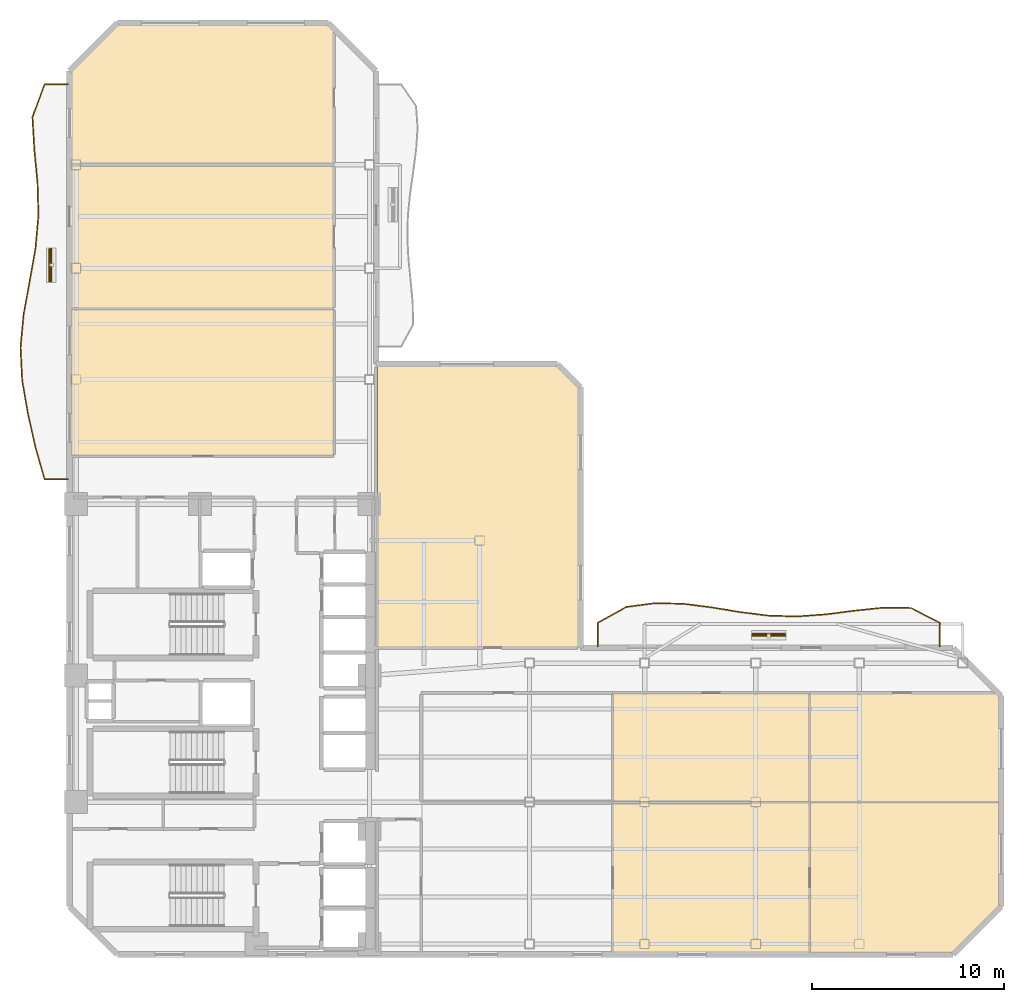
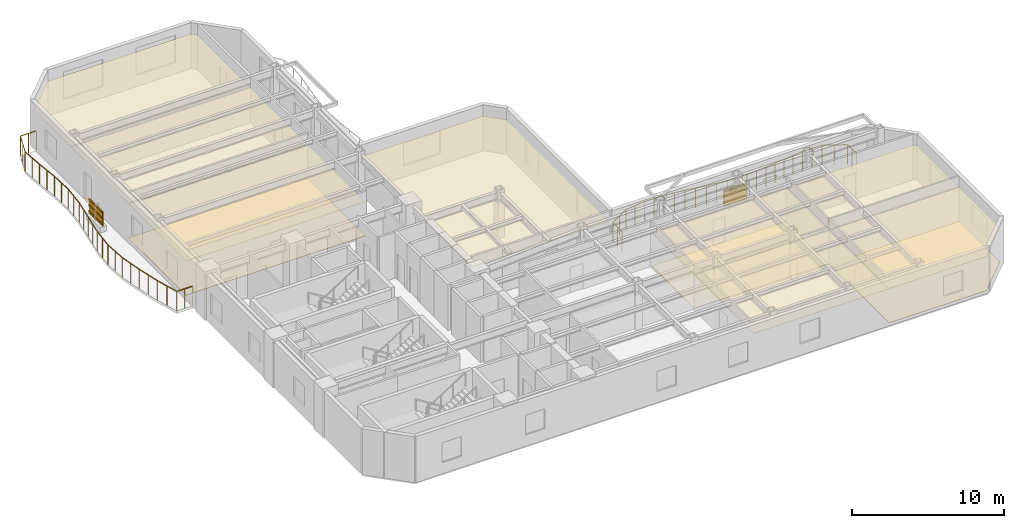
# One storey, part 8 of 9: 11 coverings, 8 shading devices, 2 railings.
"""IFC4 building model written with IfcOpenShell, lengths in metres."""

from ifc_helpers import new_model, si_unit, direction, frame, origin, origin_2d, place, context, subcontext, project, spatial, polyline, rectangle, outline, extrude, material, layer, layer_set, material_profile, profile_set, type_object, element, save


model = new_model("IFC4")

# Units and contexts
model_context = context("Model", 3, precision=1e-05, world=origin(), true_north=direction((0.0, 1.0)))
body_context = subcontext(model_context, "Body", "Model", "MODEL_VIEW")
ifc_project = project(units=[si_unit("LENGTHUNIT", "METRE"), si_unit("AREAUNIT", "SQUARE_METRE"), si_unit("VOLUMEUNIT", "CUBIC_METRE"), si_unit("PLANEANGLEUNIT", "RADIAN"), si_unit("MASSUNIT", "GRAM", prefix="KILO")], contexts=[model_context])

# Site, building, storey
site_placement = place(None, origin())
site = spatial("IfcSite", under=ifc_project, at=site_placement, CompositionType="ELEMENT")
building_placement = place(site_placement, origin())
building = spatial("IfcBuilding", under=site, at=building_placement, Name="Mawjaban Terraces University", CompositionType="ELEMENT")
storey_placement = place(building_placement, frame((0.0, 0.0, 107.300048828125)))
storey = spatial("IfcBuildingStorey", under=building, at=storey_placement, Name="L25", CompositionType="ELEMENT", Elevation=107.300048828125)

# Coverings
ifc_material_1 = material(Name="Acoustic mineral fibre ceiling tile", Category="masonry")
ifc_layer_1 = layer(ifc_material_1, 0.02001953125)
ifc_layer_set_1 = layer_set([ifc_layer_1], Name="Acoustic mineral fibre ceiling tile")
covering_type_1 = type_object("IfcCoveringType", Name="AcousticMineralCeiling_20", PredefinedType="CEILING", material=ifc_layer_set_1)
covering_1_placement = place(storey_placement, frame((0.0, 0.0, 2.75)))
element("IfcCovering", 1, at=covering_1_placement, inside=storey, type_object=covering_type_1, Name="L25 Teaching Laboratory 4 Acoustic Ceiling", PredefinedType="CEILING", context=body_context, shape_type="SweptSolid", body=[
    extrude(outline(polyline([(50.362060546875, 0.114990234375), (60.5869140625, 0.114990234375), (60.5869140625, 7.919921875), (50.362060546875, 7.919921875), (50.362060546875, 0.114990234375)])), origin(), (0.0, 0.0, 1.0), 0.02001953125),
])
covering_2_placement = place(storey_placement, frame((0.0, 0.0, 2.75)))
element("IfcCovering", 2, at=covering_2_placement, inside=storey, type_object=covering_type_1, Name="L25 Seminar Room 5 Acoustic Ceiling", PredefinedType="CEILING", context=body_context, shape_type="SweptSolid", body=[
    extrude(outline(polyline([(60.5869140625, 7.97998046875), (60.5869140625, 13.6201171875), (50.362060546875, 13.6201171875), (50.362060546875, 7.97998046875), (60.5869140625, 7.97998046875)])), origin(), (0.0, 0.0, 1.0), 0.02001953125),
])
covering_3_placement = place(storey_placement, frame((0.0, 0.0, 2.75)))
element("IfcCovering", 3, at=covering_3_placement, inside=storey, type_object=covering_type_1, Name="L25 Classroom 6 Acoustic Ceiling", PredefinedType="CEILING", context=body_context, shape_type="SweptSolid", body=[
    extrude(outline(polyline([(60.64697265625, 0.114990234375), (68.052978515625, 0.114990234375), (70.485107421875, 2.547119140625), (70.485107421875, 7.919921875), (60.64697265625, 7.919921875), (60.64697265625, 0.114990234375)])), origin(), (0.0, 0.0, 1.0), 0.02001953125),
])
covering_4_placement = place(storey_placement, frame((0.0, 0.0, 2.75)))
element("IfcCovering", 4, at=covering_4_placement, inside=storey, type_object=covering_type_1, Name="L25 Faculty Office 7 Acoustic Ceiling", PredefinedType="CEILING", context=body_context, shape_type="SweptSolid", body=[
    extrude(outline(polyline([(70.485107421875, 7.97998046875), (70.485107421875, 13.452880859375), (70.318115234375, 13.6201171875), (60.64697265625, 13.6201171875), (60.64697265625, 7.97998046875), (70.485107421875, 7.97998046875)])), origin(), (0.0, 0.0, 1.0), 0.02001953125),
])
covering_5_placement = place(storey_placement, frame((0.0, 0.0, 2.75)))
element("IfcCovering", 5, at=covering_5_placement, inside=storey, type_object=covering_type_1, Name="L25 Classroom 8 Acoustic Ceiling", PredefinedType="CEILING", context=body_context, shape_type="SweptSolid", body=[
    extrude(outline(polyline([(22.114990234375, 33.654052734375), (22.114990234375, 26.030029296875), (35.77001953125, 26.030029296875), (35.77001953125, 33.654052734375), (22.114990234375, 33.654052734375)])), origin(), (0.0, 0.0, 1.0), 0.02001953125),
])
covering_6_placement = place(storey_placement, frame((0.0, 0.0, 2.75)))
element("IfcCovering", 6, at=covering_6_placement, inside=storey, type_object=covering_type_1, Name="L25 Computational Laboratory 9 Acoustic Ceiling", PredefinedType="CEILING", context=body_context, shape_type="SweptSolid", body=[
    extrude(outline(polyline([(22.114990234375, 41.169921875), (22.114990234375, 33.714111328125), (35.77001953125, 33.714111328125), (35.77001953125, 41.169921875), (22.114990234375, 41.169921875)])), origin(), (0.0, 0.0, 1.0), 0.02001953125),
])
covering_7_placement = place(storey_placement, frame((0.0, 0.0, 2.75)))
element("IfcCovering", 7, at=covering_7_placement, inside=storey, type_object=covering_type_1, Name="L25 Design Studio 10 Acoustic Ceiling", PredefinedType="CEILING", context=body_context, shape_type="SweptSolid", body=[
    extrude(outline(polyline([(35.77001953125, 48.16796875), (35.452880859375, 48.485107421875), (24.547119140625, 48.485107421875), (22.114990234375, 46.052978515625), (22.114990234375, 41.22998046875), (35.77001953125, 41.22998046875), (35.77001953125, 48.16796875)])), origin(), (0.0, 0.0, 1.0), 0.02001953125),
])
covering_8_placement = place(storey_placement, frame((0.0, 0.0, 2.75)))
element("IfcCovering", 8, at=covering_8_placement, inside=storey, type_object=covering_type_1, Name="L25 Terrace Collaborative Study Room Acoustic Ceiling", PredefinedType="CEILING", context=body_context, shape_type="SweptSolid", body=[
    extrude(outline(polyline([(48.541015625, 16.030029296875), (48.541015625, 29.552978515625), (47.408935546875, 30.68505859375), (38.080078125, 30.68505859375), (38.080078125, 16.030029296875), (48.541015625, 16.030029296875)])), origin(), (0.0, 0.0, 1.0), 0.02001953125),
])

# Railings
ifc_material_2 = material(Name="Galvanised powder-coated steel S355", Category="steel")
railing_type = type_object("IfcRailingType", Name="BalconyBalustrade_1600", PredefinedType="BALUSTRADE", material=ifc_material_2)
railing_1_placement = place(storey_placement, frame((21.919921875, 24.800048828125, 0.0)))
element("IfcRailing", 9, at=railing_1_placement, inside=storey, type_object=railing_type, Name="L25 Balcony Guardrail west", PredefinedType="BALUSTRADE", context=body_context, shape_type="SweptSolid", body=[
    extrude(rectangle(XDim=0.048095703125, YDim=0.048095703125, at=origin_2d()), frame((0.0, 0.0, 1.576171875), z_axis=(-1.0, 0.0, 0.0), x_axis=(0.0, -1.0, 0.0)), (0.0, 0.0, 1.0), 1.219970703125),
    extrude(rectangle(XDim=0.048095703125, YDim=0.048095703125, at=origin_2d()), frame((-1.219970703125, 0.0, 1.576171875), z_axis=(-0.274919735508, 0.961467180422, 0.0), x_axis=(-0.961467180422, -0.274919735508, 0.0)), (0.0, 0.0, 1.0), 1.785888671875),
    extrude(rectangle(XDim=0.048095703125, YDim=0.048095703125, at=origin_2d()), frame((-1.7109375, 1.717041015625, 1.576171875), z_axis=(-0.217886102131, 0.975974203808, 0.0), x_axis=(-0.975974203808, -0.217886102131, 0.0)), (0.0, 0.0, 1.0), 1.758056640625),
    extrude(rectangle(XDim=0.048095703125, YDim=0.048095703125, at=origin_2d()), frame((-2.093994140625, 3.432861328125, 1.576171875), z_axis=(-0.170371389798, 0.98537992142, 0.0), x_axis=(-0.98537992142, -0.170371389798, 0.0)), (0.0, 0.0, 1.0), 1.742431640625),
    extrude(rectangle(XDim=0.048095703125, YDim=0.048095703125, at=origin_2d()), frame((-2.390869140625, 5.14990234375, 1.576171875), z_axis=(-0.049420555113, 0.998778057795, 0.0), x_axis=(-0.998778057795, -0.049420555113, 0.0)), (0.0, 0.0, 1.0), 1.71923828125),
    extrude(rectangle(XDim=0.048095703125, YDim=0.048095703125, at=origin_2d()), frame((-2.475830078125, 6.866943359375, 1.576171875), z_axis=(0.091659749456, 0.995790384735, 0.0), x_axis=(-0.995790384735, 0.091659749456, 0.0)), (0.0, 0.0, 1.0), 1.723388671875),
    extrude(rectangle(XDim=0.048095703125, YDim=0.048095703125, at=origin_2d()), frame((-2.31787109375, 8.5830078125, 1.576171875), z_axis=(0.179870018073, 0.983690386554, 0.0), x_axis=(-0.983690386554, 0.179870018073, 0.0)), (0.0, 0.0, 1.0), 1.74560546875),
    extrude(rectangle(XDim=0.048095703125, YDim=0.048095703125, at=origin_2d()), frame((-2.00390625, 10.300048828125, 1.576171875), z_axis=(0.175422364113, 0.984493267711, 0.0), x_axis=(-0.984493267711, 0.175422364113, 0.0)), (0.0, 0.0, 1.0), 1.743896484375),
    extrude(rectangle(XDim=0.048095703125, YDim=0.048095703125, at=origin_2d()), frame((-1.697998046875, 12.016845703125, 1.576171875), z_axis=(0.089411396543, 0.995994780191, 0.0), x_axis=(-0.995994780191, 0.089411396543, 0.0)), (0.0, 0.0, 1.0), 1.722900390625),
    extrude(rectangle(XDim=0.048095703125, YDim=0.048095703125, at=origin_2d()), frame((-1.5439453125, 13.73291015625, 1.576171875), z_axis=(-0.02672157941, 0.999642914842, 0.0), x_axis=(-0.999642914842, -0.02672157941, 0.0)), (0.0, 0.0, 1.0), 1.7177734375),
    extrude(rectangle(XDim=0.048095703125, YDim=0.048095703125, at=origin_2d()), frame((-1.58984375, 15.449951171875, 1.576171875), z_axis=(-0.095116345971, 0.995466162523, 0.0), x_axis=(-0.995466162523, -0.095116345971, 0.0)), (0.0, 0.0, 1.0), 1.724853515625),
    extrude(rectangle(XDim=0.048095703125, YDim=0.048095703125, at=origin_2d()), frame((-1.75390625, 17.1669921875, 1.576171875), z_axis=(-0.057664592582, 0.998336012955, 0.0), x_axis=(-0.998336012955, -0.057664592582, 0.0)), (0.0, 0.0, 1.0), 1.718994140625),
    extrude(rectangle(XDim=0.048095703125, YDim=0.048095703125, at=origin_2d()), frame((-1.85302734375, 18.883056640625, 1.576171875), z_axis=(0.345971218819, 0.93824512562, 0.0), x_axis=(-0.93824512562, 0.345971218819, 0.0)), (0.0, 0.0, 1.0), 1.829833984375),
    extrude(rectangle(XDim=0.048095703125, YDim=0.048095703125, at=origin_2d()), frame((-1.219970703125, 20.599853515625, 1.576171875), z_axis=(1.0, 0.0, 0.0), x_axis=(0.0, 1.0, 0.0)), (0.0, 0.0, 1.0), 1.219970703125),
    extrude(rectangle(XDim=0.0419921875, YDim=0.0419921875, at=origin_2d()), origin(), (0.0, 0.0, 1.0), 1.552001953125),
    extrude(rectangle(XDim=0.0419921875, YDim=0.0419921875, at=origin_2d()), frame((-0.60986328125, 0.0, 0.0)), (0.0, 0.0, 1.0), 1.552001953125),
    extrude(rectangle(XDim=0.0419921875, YDim=0.0419921875, at=origin_2d()), frame((-1.219970703125, 0.0, 0.0)), (0.0, 0.0, 1.0), 1.552001953125),
    extrude(rectangle(XDim=0.0419921875, YDim=0.0419921875, at=origin_2d()), frame((-1.46533203125, 0.8583984375, 0.0)), (0.0, 0.0, 1.0), 1.552001953125),
    extrude(rectangle(XDim=0.0419921875, YDim=0.0419921875, at=origin_2d()), frame((-1.7109375, 1.717041015625, 0.0)), (0.0, 0.0, 1.0), 1.552001953125),
    extrude(rectangle(XDim=0.0419921875, YDim=0.0419921875, at=origin_2d()), frame((-1.90234375, 2.574951171875, 0.0)), (0.0, 0.0, 1.0), 1.552001953125),
    extrude(rectangle(XDim=0.0419921875, YDim=0.0419921875, at=origin_2d()), frame((-2.093994140625, 3.432861328125, 0.0)), (0.0, 0.0, 1.0), 1.552001953125),
    extrude(rectangle(XDim=0.0419921875, YDim=0.0419921875, at=origin_2d()), frame((-2.242431640625, 4.29150390625, 0.0)), (0.0, 0.0, 1.0), 1.552001953125),
    extrude(rectangle(XDim=0.0419921875, YDim=0.0419921875, at=origin_2d()), frame((-2.390869140625, 5.14990234375, 0.0)), (0.0, 0.0, 1.0), 1.552001953125),
    extrude(rectangle(XDim=0.0419921875, YDim=0.0419921875, at=origin_2d()), frame((-2.433349609375, 6.00830078125, 0.0)), (0.0, 0.0, 1.0), 1.552001953125),
    extrude(rectangle(XDim=0.0419921875, YDim=0.0419921875, at=origin_2d()), frame((-2.475830078125, 6.866943359375, 0.0)), (0.0, 0.0, 1.0), 1.552001953125),
    extrude(rectangle(XDim=0.0419921875, YDim=0.0419921875, at=origin_2d()), frame((-2.39697265625, 7.72509765625, 0.0)), (0.0, 0.0, 1.0), 1.552001953125),
    extrude(rectangle(XDim=0.0419921875, YDim=0.0419921875, at=origin_2d()), frame((-2.31787109375, 8.5830078125, 0.0)), (0.0, 0.0, 1.0), 1.552001953125),
    extrude(rectangle(XDim=0.0419921875, YDim=0.0419921875, at=origin_2d()), frame((-2.160888671875, 9.44140625, 0.0)), (0.0, 0.0, 1.0), 1.552001953125),
    extrude(rectangle(XDim=0.0419921875, YDim=0.0419921875, at=origin_2d()), frame((-2.00390625, 10.300048828125, 0.0)), (0.0, 0.0, 1.0), 1.552001953125),
    extrude(rectangle(XDim=0.0419921875, YDim=0.0419921875, at=origin_2d()), frame((-1.85107421875, 11.158447265625, 0.0)), (0.0, 0.0, 1.0), 1.552001953125),
    extrude(rectangle(XDim=0.0419921875, YDim=0.0419921875, at=origin_2d()), frame((-1.697998046875, 12.016845703125, 0.0)), (0.0, 0.0, 1.0), 1.552001953125),
    extrude(rectangle(XDim=0.0419921875, YDim=0.0419921875, at=origin_2d()), frame((-1.62109375, 12.875, 0.0)), (0.0, 0.0, 1.0), 1.552001953125),
    extrude(rectangle(XDim=0.0419921875, YDim=0.0419921875, at=origin_2d()), frame((-1.5439453125, 13.73291015625, 0.0)), (0.0, 0.0, 1.0), 1.552001953125),
    extrude(rectangle(XDim=0.0419921875, YDim=0.0419921875, at=origin_2d()), frame((-1.56689453125, 14.59130859375, 0.0)), (0.0, 0.0, 1.0), 1.552001953125),
    extrude(rectangle(XDim=0.0419921875, YDim=0.0419921875, at=origin_2d()), frame((-1.58984375, 15.449951171875, 0.0)), (0.0, 0.0, 1.0), 1.552001953125),
    extrude(rectangle(XDim=0.0419921875, YDim=0.0419921875, at=origin_2d()), frame((-1.671875, 16.30859375, 0.0)), (0.0, 0.0, 1.0), 1.552001953125),
    extrude(rectangle(XDim=0.0419921875, YDim=0.0419921875, at=origin_2d()), frame((-1.75390625, 17.1669921875, 0.0)), (0.0, 0.0, 1.0), 1.552001953125),
    extrude(rectangle(XDim=0.0419921875, YDim=0.0419921875, at=origin_2d()), frame((-1.803466796875, 18.02490234375, 0.0)), (0.0, 0.0, 1.0), 1.552001953125),
    extrude(rectangle(XDim=0.0419921875, YDim=0.0419921875, at=origin_2d()), frame((-1.85302734375, 18.883056640625, 0.0)), (0.0, 0.0, 1.0), 1.552001953125),
    extrude(rectangle(XDim=0.0419921875, YDim=0.0419921875, at=origin_2d()), frame((-1.53662109375, 19.741455078125, 0.0)), (0.0, 0.0, 1.0), 1.552001953125),
    extrude(rectangle(XDim=0.0419921875, YDim=0.0419921875, at=origin_2d()), frame((-1.219970703125, 20.599853515625, 0.0)), (0.0, 0.0, 1.0), 1.552001953125),
    extrude(rectangle(XDim=0.0419921875, YDim=0.0419921875, at=origin_2d()), frame((-0.60986328125, 20.599853515625, 0.0)), (0.0, 0.0, 1.0), 1.552001953125),
    extrude(rectangle(XDim=0.0419921875, YDim=0.0419921875, at=origin_2d()), frame((0.0, 20.599853515625, 0.0)), (0.0, 0.0, 1.0), 1.552001953125),
])
railing_2_placement = place(storey_placement, frame((49.555908203125, 16.080078125, 0.0)))
element("IfcRailing", 10, at=railing_2_placement, inside=storey, type_object=railing_type, Name="L25 Balcony Guardrail inner_north", PredefinedType="BALUSTRADE", context=body_context, shape_type="SweptSolid", body=[
    extrude(rectangle(XDim=0.048095703125, YDim=0.048095703125, at=origin_2d()), frame((0.0, 0.0, 1.576171875), z_axis=(0.0, 1.0, 0.0), x_axis=(-1.0, 0.0, 0.0)), (0.0, 0.0, 1.0), 1.219970703125),
    extrude(rectangle(XDim=0.048095703125, YDim=0.048095703125, at=origin_2d()), frame((0.0, 1.219970703125, 1.576171875), z_axis=(0.871953765869, 0.489588225131, 0.0), x_axis=(-0.489588225131, 0.871953765869, 0.0)), (0.0, 0.0, 1.0), 1.705322265625),
    extrude(rectangle(XDim=0.048095703125, YDim=0.048095703125, at=origin_2d()), frame((1.487060546875, 2.054931640625, 1.576171875), z_axis=(0.991505745551, 0.130062894549, 0.0), x_axis=(-0.130062894549, 0.991505745551, 0.0)), (0.0, 0.0, 1.0), 1.499755859375),
    extrude(rectangle(XDim=0.048095703125, YDim=0.048095703125, at=origin_2d()), frame((2.97412109375, 2.25, 1.576171875), z_axis=(0.999821814485, -0.01887695102, 0.0), x_axis=(0.01887695102, 0.999821814485, 0.0)), (0.0, 0.0, 1.0), 1.4873046875),
    extrude(rectangle(XDim=0.048095703125, YDim=0.048095703125, at=origin_2d()), frame((4.461181640625, 2.221923828125, 1.576171875), z_axis=(0.991938457485, -0.126720545143, 0.0), x_axis=(0.126720545143, 0.991938457485, 0.0)), (0.0, 0.0, 1.0), 1.498779296875),
    extrude(rectangle(XDim=0.048095703125, YDim=0.048095703125, at=origin_2d()), frame((5.947998046875, 2.031982421875, 1.576171875), z_axis=(0.986581516869, -0.163269441636, 0.0), x_axis=(0.163269441636, 0.986581516869, 0.0)), (0.0, 0.0, 1.0), 1.50732421875),
    extrude(rectangle(XDim=0.048095703125, YDim=0.048095703125, at=origin_2d()), frame((7.43505859375, 1.785888671875, 1.576171875), z_axis=(0.992425064406, -0.12285150198, 0.0), x_axis=(0.12285150198, 0.992425064406, 0.0)), (0.0, 0.0, 1.0), 1.498291015625),
    extrude(rectangle(XDim=0.048095703125, YDim=0.048095703125, at=origin_2d()), frame((8.922119140625, 1.601806640625, 1.576171875), z_axis=(0.999601535108, -0.028227132497, 0.0), x_axis=(0.028227132497, 0.999601535108, 0.0)), (0.0, 0.0, 1.0), 1.487548828125),
    extrude(rectangle(XDim=0.048095703125, YDim=0.048095703125, at=origin_2d()), frame((10.4091796875, 1.559814453125, 1.576171875), z_axis=(0.997364739763, 0.0725505057, 0.0), x_axis=(-0.0725505057, 0.997364739763, 0.0)), (0.0, 0.0, 1.0), 1.49072265625),
    extrude(rectangle(XDim=0.048095703125, YDim=0.048095703125, at=origin_2d()), frame((11.89599609375, 1.66796875, 1.576171875), z_axis=(0.991776533302, 0.127981670526, 0.0), x_axis=(-0.127981670526, 0.991776533302, 0.0)), (0.0, 0.0, 1.0), 1.49951171875),
    extrude(rectangle(XDim=0.048095703125, YDim=0.048095703125, at=origin_2d()), frame((13.383056640625, 1.85986328125, 1.576171875), z_axis=(0.994609641287, 0.103690218719, 0.0), x_axis=(-0.103690218719, 0.994609641287, 0.0)), (0.0, 0.0, 1.0), 1.4951171875),
    extrude(rectangle(XDim=0.048095703125, YDim=0.048095703125, at=origin_2d()), frame((14.8701171875, 2.014892578125, 1.576171875), z_axis=(0.999933969305, -0.011491606937, 0.0), x_axis=(0.011491606937, 0.999933969305, 0.0)), (0.0, 0.0, 1.0), 1.487060546875),
    extrude(rectangle(XDim=0.048095703125, YDim=0.048095703125, at=origin_2d()), frame((16.357177734375, 1.997802734375, 1.576171875), z_axis=(0.886070631623, -0.463550251618, 0.0), x_axis=(0.463550251618, 0.886070631623, 0.0)), (0.0, 0.0, 1.0), 1.677978515625),
    extrude(rectangle(XDim=0.048095703125, YDim=0.048095703125, at=origin_2d()), frame((17.843994140625, 1.219970703125, 1.576171875), z_axis=(0.0, -1.0, 0.0), x_axis=(1.0, 0.0, 0.0)), (0.0, 0.0, 1.0), 1.219970703125),
    extrude(rectangle(XDim=0.0419921875, YDim=0.0419921875, at=origin_2d()), origin(), (0.0, 0.0, 1.0), 1.552001953125),
    extrude(rectangle(XDim=0.0419921875, YDim=0.0419921875, at=origin_2d()), frame((0.0, 0.60986328125, 0.0)), (0.0, 0.0, 1.0), 1.552001953125),
    extrude(rectangle(XDim=0.0419921875, YDim=0.0419921875, at=origin_2d()), frame((0.0, 1.219970703125, 0.0)), (0.0, 0.0, 1.0), 1.552001953125),
    extrude(rectangle(XDim=0.0419921875, YDim=0.0419921875, at=origin_2d()), frame((0.74365234375, 1.637451171875, 0.0)), (0.0, 0.0, 1.0), 1.552001953125),
    extrude(rectangle(XDim=0.0419921875, YDim=0.0419921875, at=origin_2d()), frame((1.487060546875, 2.054931640625, 0.0)), (0.0, 0.0, 1.0), 1.552001953125),
    extrude(rectangle(XDim=0.0419921875, YDim=0.0419921875, at=origin_2d()), frame((2.23046875, 2.15234375, 0.0)), (0.0, 0.0, 1.0), 1.552001953125),
    extrude(rectangle(XDim=0.0419921875, YDim=0.0419921875, at=origin_2d()), frame((2.97412109375, 2.25, 0.0)), (0.0, 0.0, 1.0), 1.552001953125),
    extrude(rectangle(XDim=0.0419921875, YDim=0.0419921875, at=origin_2d()), frame((3.7177734375, 2.23583984375, 0.0)), (0.0, 0.0, 1.0), 1.552001953125),
    extrude(rectangle(XDim=0.0419921875, YDim=0.0419921875, at=origin_2d()), frame((4.461181640625, 2.221923828125, 0.0)), (0.0, 0.0, 1.0), 1.552001953125),
    extrude(rectangle(XDim=0.0419921875, YDim=0.0419921875, at=origin_2d()), frame((5.20458984375, 2.126953125, 0.0)), (0.0, 0.0, 1.0), 1.552001953125),
    extrude(rectangle(XDim=0.0419921875, YDim=0.0419921875, at=origin_2d()), frame((5.947998046875, 2.031982421875, 0.0)), (0.0, 0.0, 1.0), 1.552001953125),
    extrude(rectangle(XDim=0.0419921875, YDim=0.0419921875, at=origin_2d()), frame((6.69140625, 1.908935546875, 0.0)), (0.0, 0.0, 1.0), 1.552001953125),
    extrude(rectangle(XDim=0.0419921875, YDim=0.0419921875, at=origin_2d()), frame((7.43505859375, 1.785888671875, 0.0)), (0.0, 0.0, 1.0), 1.552001953125),
    extrude(rectangle(XDim=0.0419921875, YDim=0.0419921875, at=origin_2d()), frame((8.1787109375, 1.69384765625, 0.0)), (0.0, 0.0, 1.0), 1.552001953125),
    extrude(rectangle(XDim=0.0419921875, YDim=0.0419921875, at=origin_2d()), frame((8.922119140625, 1.601806640625, 0.0)), (0.0, 0.0, 1.0), 1.552001953125),
    extrude(rectangle(XDim=0.0419921875, YDim=0.0419921875, at=origin_2d()), frame((9.66552734375, 1.580810546875, 0.0)), (0.0, 0.0, 1.0), 1.552001953125),
    extrude(rectangle(XDim=0.0419921875, YDim=0.0419921875, at=origin_2d()), frame((10.4091796875, 1.559814453125, 0.0)), (0.0, 0.0, 1.0), 1.552001953125),
    extrude(rectangle(XDim=0.0419921875, YDim=0.0419921875, at=origin_2d()), frame((11.152587890625, 1.61376953125, 0.0)), (0.0, 0.0, 1.0), 1.552001953125),
    extrude(rectangle(XDim=0.0419921875, YDim=0.0419921875, at=origin_2d()), frame((11.89599609375, 1.66796875, 0.0)), (0.0, 0.0, 1.0), 1.552001953125),
    extrude(rectangle(XDim=0.0419921875, YDim=0.0419921875, at=origin_2d()), frame((12.6396484375, 1.763916015625, 0.0)), (0.0, 0.0, 1.0), 1.552001953125),
    extrude(rectangle(XDim=0.0419921875, YDim=0.0419921875, at=origin_2d()), frame((13.383056640625, 1.85986328125, 0.0)), (0.0, 0.0, 1.0), 1.552001953125),
    extrude(rectangle(XDim=0.0419921875, YDim=0.0419921875, at=origin_2d()), frame((14.12646484375, 1.9375, 0.0)), (0.0, 0.0, 1.0), 1.552001953125),
    extrude(rectangle(XDim=0.0419921875, YDim=0.0419921875, at=origin_2d()), frame((14.8701171875, 2.014892578125, 0.0)), (0.0, 0.0, 1.0), 1.552001953125),
    extrude(rectangle(XDim=0.0419921875, YDim=0.0419921875, at=origin_2d()), frame((15.61376953125, 2.00634765625, 0.0)), (0.0, 0.0, 1.0), 1.552001953125),
    extrude(rectangle(XDim=0.0419921875, YDim=0.0419921875, at=origin_2d()), frame((16.357177734375, 1.997802734375, 0.0)), (0.0, 0.0, 1.0), 1.552001953125),
    extrude(rectangle(XDim=0.0419921875, YDim=0.0419921875, at=origin_2d()), frame((17.1005859375, 1.60888671875, 0.0)), (0.0, 0.0, 1.0), 1.552001953125),
    extrude(rectangle(XDim=0.0419921875, YDim=0.0419921875, at=origin_2d()), frame((17.843994140625, 1.219970703125, 0.0)), (0.0, 0.0, 1.0), 1.552001953125),
    extrude(rectangle(XDim=0.0419921875, YDim=0.0419921875, at=origin_2d()), frame((17.843994140625, 0.60986328125, 0.0)), (0.0, 0.0, 1.0), 1.552001953125),
    extrude(rectangle(XDim=0.0419921875, YDim=0.0419921875, at=origin_2d()), frame((17.843994140625, 0.0, 0.0)), (0.0, 0.0, 1.0), 1.552001953125),
])

# Shading devices
ifc_material_3 = material(Name="Glazed architectural terracotta ceramic", Category="masonry")
ifc_material_profile = material_profile(ifc_material_3, rectangle(XDim=0.06494140625, YDim=0.110107421875, at=origin_2d()), Name="TBAG110X65")
ifc_profile_set = profile_set([ifc_material_profile], Name="Glazed architectural terracotta ceramic")
shading_device_type_1 = type_object("IfcShadingDeviceType", Name="TerracottaBaguette_110x65", PredefinedType="USERDEFINED", material=ifc_profile_set)
for number, where, z_axis, x_axis, name in (
    (11, (20.955078125, 35.10888671875, 0.679931640625), (0.0, 1.0, 0.0), (-1.0, 0.0, 0.0), "L25 Horizontal Terracotta Baguette west.1"),
    (12, (20.955078125, 35.10888671875, 1.14990234375), (0.0, 1.0, 0.0), (-1.0, 0.0, 0.0), "L25 Horizontal Terracotta Baguette west.2"),
    (13, (20.955078125, 35.10888671875, 1.619873046875), (0.0, 1.0, 0.0), (-1.0, 0.0, 0.0), "L25 Horizontal Terracotta Baguette west.3"),
):
    element("IfcShadingDevice", number, at=place(storey_placement, frame(where, z_axis=z_axis, x_axis=x_axis)), inside=storey, type_object=shading_device_type_1, Name=name, ObjectType="BAGUETTE", PredefinedType="USERDEFINED", context=body_context, shape_type="SweptSolid", body=[
        extrude(rectangle(XDim=0.06494140625, YDim=0.110107421875, at=origin_2d()), origin(), (0.0, 0.0, 1.0), 1.7001953125),
    ])
for number, where, z_axis, x_axis, name in (
    (14, (57.6279296875, 16.72998046875, 0.679931640625), (1.0, 0.0, 0.0), (0.0, 1.0, 0.0), "L25 Horizontal Terracotta Baguette inner_north.1"),
    (15, (57.6279296875, 16.72998046875, 1.14990234375), (1.0, 0.0, 0.0), (0.0, 1.0, 0.0), "L25 Horizontal Terracotta Baguette inner_north.2"),
    (16, (57.6279296875, 16.72998046875, 1.619873046875), (1.0, 0.0, 0.0), (0.0, 1.0, 0.0), "L25 Horizontal Terracotta Baguette inner_north.3"),
):
    element("IfcShadingDevice", number, at=place(storey_placement, frame(where, z_axis=z_axis, x_axis=x_axis)), inside=storey, type_object=shading_device_type_1, Name=name, ObjectType="BAGUETTE", PredefinedType="USERDEFINED", context=body_context, shape_type="SweptSolid", body=[
        extrude(rectangle(XDim=0.06494140625, YDim=0.110107421875, at=origin_2d()), origin(), (0.0, 0.0, 1.0), 1.699951171875),
    ])
ifc_layer_2 = layer(ifc_material_3, 0.080078125)
ifc_layer_set_2 = layer_set([ifc_layer_2], Name="Glazed architectural terracotta ceramic")
shading_device_type_2 = type_object("IfcShadingDeviceType", Name="TerracottaScreen_Perforated", PredefinedType="USERDEFINED", material=ifc_layer_set_2)
for number, where, z_axis, x_axis, name in (
    (17, (21.0400390625, 35.958984375, 0.43994140625), (0.0, 0.0, 1.0), (0.0, 1.0, 0.0), "L25 Balcony Perforated Terracotta Screen west"),
    (18, (58.47802734375, 16.64501953125, 0.43994140625), (0.0, 0.0, 1.0), (1.0, 0.0, 0.0), "L25 Balcony Perforated Terracotta Screen inner_north"),
):
    element("IfcShadingDevice", number, at=place(storey_placement, frame(where, z_axis=z_axis, x_axis=x_axis)), inside=storey, type_object=shading_device_type_2, Name=name, ObjectType="SCREEN", PredefinedType="USERDEFINED", context=body_context, shape_type="SweptSolid", body=[
        extrude(rectangle(XDim=1.75, YDim=0.080078125, at=origin_2d()), origin(), (0.0, 0.0, 1.0), 1.14990234375),
    ])

# Coverings
ifc_material_4 = material(Name="Polished Hijazi granite terrazzo flooring", Category="masonry")
ifc_layer_3 = layer(ifc_material_4, 0.02490234375)
ifc_layer_set_3 = layer_set([ifc_layer_3], Name="Polished Hijazi granite terrazzo flooring")
covering_type_2 = type_object("IfcCoveringType", Name="TerrazzoConcourseFlooring_25", PredefinedType="FLOORING", material=ifc_layer_set_3)
covering_9_placement = place(storey_placement, origin())
element("IfcCovering", 19, at=covering_9_placement, inside=storey, type_object=covering_type_2, Name="L25 Seminar Room 5 Terrazzo Flooring", PredefinedType="FLOORING", context=body_context, shape_type="SweptSolid", body=[
    extrude(outline(polyline([(60.5869140625, 7.97998046875), (60.5869140625, 13.6201171875), (50.362060546875, 13.6201171875), (50.362060546875, 7.97998046875), (60.5869140625, 7.97998046875)])), origin(), (0.0, 0.0, 1.0), 0.02490234375),
])
covering_10_placement = place(storey_placement, origin())
element("IfcCovering", 20, at=covering_10_placement, inside=storey, type_object=covering_type_2, Name="L25 Classroom 6 Terrazzo Flooring", PredefinedType="FLOORING", context=body_context, shape_type="SweptSolid", body=[
    extrude(outline(polyline([(60.64697265625, 0.114990234375), (68.052978515625, 0.114990234375), (70.485107421875, 2.547119140625), (70.485107421875, 7.919921875), (60.64697265625, 7.919921875), (60.64697265625, 0.114990234375)])), origin(), (0.0, 0.0, 1.0), 0.02490234375),
])
covering_11_placement = place(storey_placement, origin())
element("IfcCovering", 21, at=covering_11_placement, inside=storey, type_object=covering_type_2, Name="L25 Classroom 8 Terrazzo Flooring", PredefinedType="FLOORING", context=body_context, shape_type="SweptSolid", body=[
    extrude(outline(polyline([(22.114990234375, 33.654052734375), (22.114990234375, 26.030029296875), (35.77001953125, 26.030029296875), (35.77001953125, 33.654052734375), (22.114990234375, 33.654052734375)])), origin(), (0.0, 0.0, 1.0), 0.02490234375),
])

save(model, "model.ifc")
